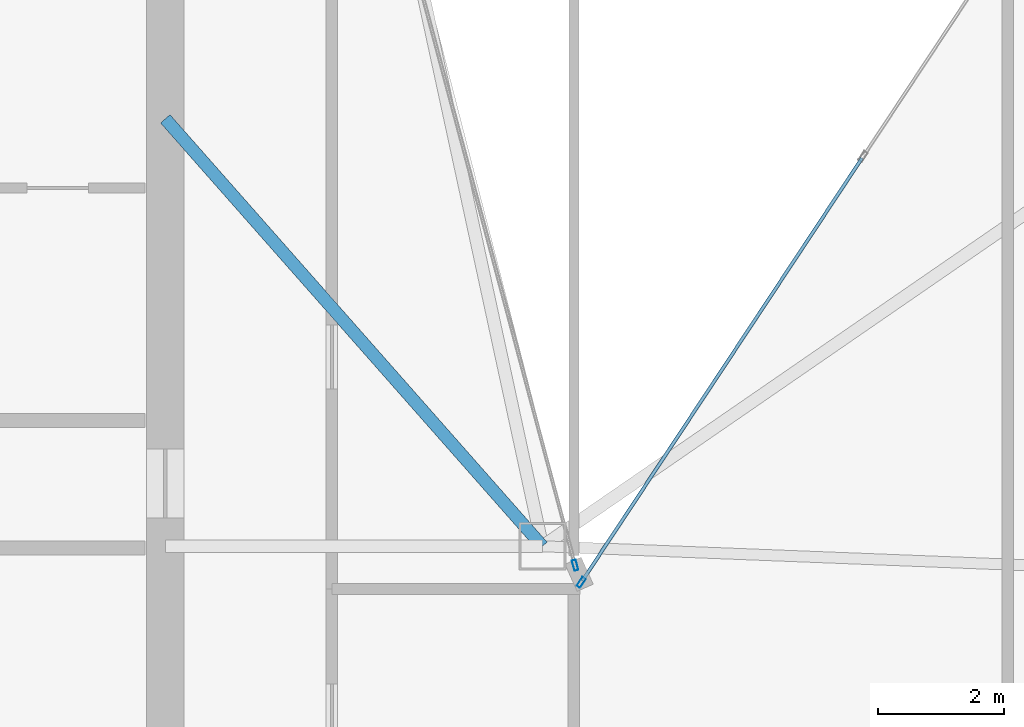
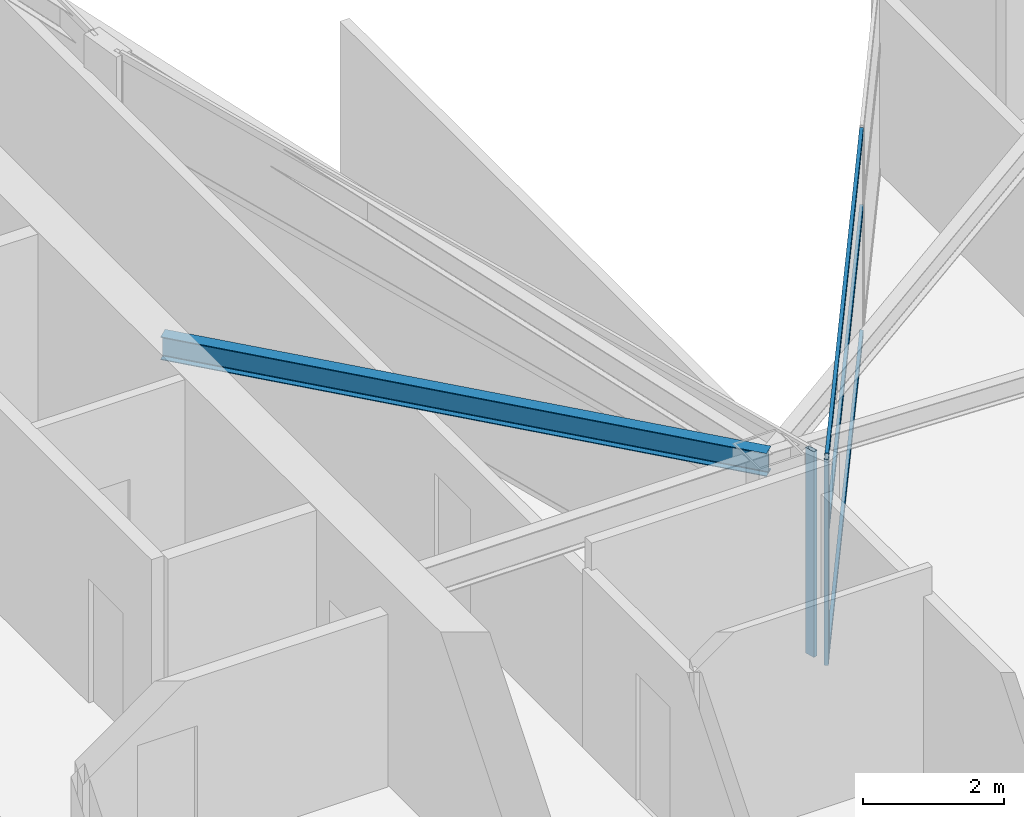
# One storey, part 11 of 28: 5 members, 1 beam, 2 elements without a shape of their own.
"""IFC4 building model written with IfcOpenShell, lengths in metres."""

from ifc_helpers import new_model, si_unit, direction, frame, origin, origin_2d, place, context, subcontext, project, spatial, hollow_rectangle, i_section, extrude, material, layer, layer_set, material_profile, profile_set, type_object, element, aggregate, save


model = new_model("IFC4")

# Units and contexts
model_context = context("Model", 3, precision=1e-05, world=origin(), true_north=direction((0.0, 1.0)))
body_context = subcontext(model_context, "Body", "Model", "MODEL_VIEW")
ifc_project = project(units=[si_unit("LENGTHUNIT", "METRE"), si_unit("AREAUNIT", "SQUARE_METRE"), si_unit("VOLUMEUNIT", "CUBIC_METRE"), si_unit("PLANEANGLEUNIT", "RADIAN"), si_unit("MASSUNIT", "GRAM", prefix="KILO")], contexts=[model_context])

# Site, building, storey
site_placement = place(None, origin())
site = spatial("IfcSite", under=ifc_project, at=site_placement, CompositionType="ELEMENT")
building_placement = place(site_placement, origin())
building = spatial("IfcBuilding", under=site, at=building_placement, Name="Calvorn Quay Hotel", CompositionType="ELEMENT")
storey_placement = place(building_placement, frame((0.0, 0.0, 271.10009765625)))
storey = spatial("IfcBuildingStorey", under=building, at=storey_placement, Name="L67", CompositionType="ELEMENT", Elevation=271.10009765625)

# Beam
ifc_material_1 = material(Name="Steel Q355B", Category="steel")
ifc_material_profile_1 = material_profile(ifc_material_1, i_section(OverallWidth=0.199951171875, OverallDepth=0.39990234375, WebThickness=0.008056640625, FlangeThickness=0.012939453125, FilletRadius=0.01611328125, at=origin_2d()), Name="HN400x200x8x13")
ifc_profile_set_1 = profile_set([ifc_material_profile_1], Name="Steel Q355B")
beam_type = type_object("IfcBeamType", Name="BM-JOIST-TYP", PredefinedType="JOIST", material=ifc_profile_set_1)
beam_placement = place(storey_placement, frame((15.0, 31.800048828125, 3.33984375), z_axis=(0.661618965899, -0.749840212287, 0.0), x_axis=(0.749840212287, 0.661618965899, 0.0)))
element("IfcBeam", 1, at=beam_placement, inside=storey, type_object=beam_type, Name="Beam BJ-L67-C1", PredefinedType="JOIST", context=body_context, shape_type="SweptSolid", body=[
    extrude(i_section(OverallWidth=0.199951171875, OverallDepth=0.39990234375, WebThickness=0.008056640625, FlangeThickness=0.012939453125, FilletRadius=0.01611328125, at=origin_2d()), origin(), (0.0, 0.0, 1.0), 9.068603515625),
])

# Curtain wall, member
ifc_material_2 = material(Name="Champagne Bronze Anodised Aluminium and Low-E Glass", Category="aluminium")
ifc_layer = layer(ifc_material_2, 0.219970703125)
ifc_layer_set = layer_set([ifc_layer], Name="CW-SYS-Z4")
curtain_wall_type = type_object("IfcCurtainWallType", Name="CW-SYS-Z4", PredefinedType="NOTDEFINED", material=ifc_layer_set)
curtain_wall_1_placement = place(storey_placement, origin())
curtain_wall_1 = element("IfcCurtainWall", 2, at=curtain_wall_1_placement, inside=storey, type_object=curtain_wall_type, Name="Inner Court Curtain Wall L67-NE1", PredefinedType="NOTDEFINED")
ifc_material_3 = material(Name="Champagne Bronze Anodised Aluminium 6063-T6", Category="aluminium")
ifc_material_profile_2 = material_profile(ifc_material_3, hollow_rectangle(XDim=0.06494140625, YDim=0.169921875, WallThickness=0.00341796875, at=origin_2d()), Name="ALU-M170x65x3.5")
ifc_profile_set_2 = profile_set([ifc_material_profile_2], Name="Champagne Bronze Anodised Aluminium 6063-T6")
member_type_1 = type_object("IfcMemberType", Name="CW-SYS-Z4-MUL", PredefinedType="MULLION", material=ifc_profile_set_2)
member_1_placement = place(storey_placement, frame((21.616455078125, 24.425048828125, 0.0), z_axis=(0.0, 0.0, 1.0), x_axis=(0.833932205724, -0.551866900852, 0.0)))
member_1 = element("IfcMember", 3, at=member_1_placement, type_object=member_type_1, Name="CW-L67-NE1 mullion 3", PredefinedType="MULLION", context=body_context, shape_type="SweptSolid", body=[
    extrude(hollow_rectangle(XDim=0.06494140625, YDim=0.169921875, WallThickness=0.00341796875, at=origin_2d()), origin(), (0.0, 0.0, 1.0), 3.559814453125),
])

curtain_wall_2_placement = place(storey_placement, origin())
curtain_wall_2 = element("IfcCurtainWall", 4, at=curtain_wall_2_placement, inside=storey, type_object=curtain_wall_type, Name="Inner Court Curtain Wall L67-IC1", PredefinedType="NOTDEFINED")
member_2_placement = place(storey_placement, frame((21.520263671875, 24.698974609375, 0.0), z_axis=(0.0, 0.0, 1.0), x_axis=(-0.96593652056, -0.25877913024, 0.0)))
member_2 = element("IfcMember", 5, at=member_2_placement, type_object=member_type_1, Name="CW-L67-IC1 mullion 1", PredefinedType="MULLION", context=body_context, shape_type="SweptSolid", body=[
    extrude(hollow_rectangle(XDim=0.06494140625, YDim=0.169921875, WallThickness=0.00341796875, at=origin_2d()), origin(), (0.0, 0.0, 1.0), 3.559814453125),
])
aggregate(curtain_wall_2, [member_2])

# Member
ifc_material_4 = material(Name="Champagne Bronze Anodised Aluminium 6063-T6", Category="aluminium")
ifc_material_profile_3 = material_profile(ifc_material_4, hollow_rectangle(XDim=0.054931640625, YDim=0.1298828125, WallThickness=0.003173828125, at=origin_2d()), Name="ALU-T130x55x3.2")
ifc_profile_set_3 = profile_set([ifc_material_profile_3], Name="Champagne Bronze Anodised Aluminium 6063-T6")
member_type_2 = type_object("IfcMemberType", Name="CW-SYS-Z4-TRN", PredefinedType="USERDEFINED", material=ifc_profile_set_3)
member_3_placement = place(storey_placement, frame((26.08349609375, 31.175048828125, 0.02978515625), z_axis=(-0.551867520082, -0.833931795939, 0.0), x_axis=(0.833931795939, -0.551867520082, 0.0)))
member_3 = element("IfcMember", 6, at=member_3_placement, type_object=member_type_2, Name="CW-L67-NE1 transom 2.1", ObjectType="TRANSOM", PredefinedType="USERDEFINED", context=body_context, shape_type="SweptSolid", body=[
    extrude(hollow_rectangle(XDim=0.054931640625, YDim=0.1298828125, WallThickness=0.003173828125, at=origin_2d()), origin(), (0.0, 0.0, 1.0), 8.064208984375),
])

member_4_placement = place(storey_placement, frame((26.08349609375, 31.175048828125, 2.199951171875), z_axis=(-0.551867520082, -0.833931795939, 0.0), x_axis=(0.833931795939, -0.551867520082, 0.0)))
member_4 = element("IfcMember", 7, at=member_4_placement, type_object=member_type_2, Name="CW-L67-NE1 transom 2.2", ObjectType="TRANSOM", PredefinedType="USERDEFINED", context=body_context, shape_type="SweptSolid", body=[
    extrude(hollow_rectangle(XDim=0.054931640625, YDim=0.1298828125, WallThickness=0.003173828125, at=origin_2d()), origin(), (0.0, 0.0, 1.0), 8.064208984375),
])

member_5_placement = place(storey_placement, frame((26.08349609375, 31.175048828125, 3.52978515625), z_axis=(-0.551867520082, -0.833931795939, 0.0), x_axis=(0.833931795939, -0.551867520082, 0.0)))
member_5 = element("IfcMember", 8, at=member_5_placement, type_object=member_type_2, Name="CW-L67-NE1 transom 2.3", ObjectType="TRANSOM", PredefinedType="USERDEFINED", context=body_context, shape_type="SweptSolid", body=[
    extrude(hollow_rectangle(XDim=0.054931640625, YDim=0.1298828125, WallThickness=0.003173828125, at=origin_2d()), origin(), (0.0, 0.0, 1.0), 8.064208984375),
])

aggregate(curtain_wall_1, [member_1, member_3, member_4, member_5])

save(model, "model.ifc")
